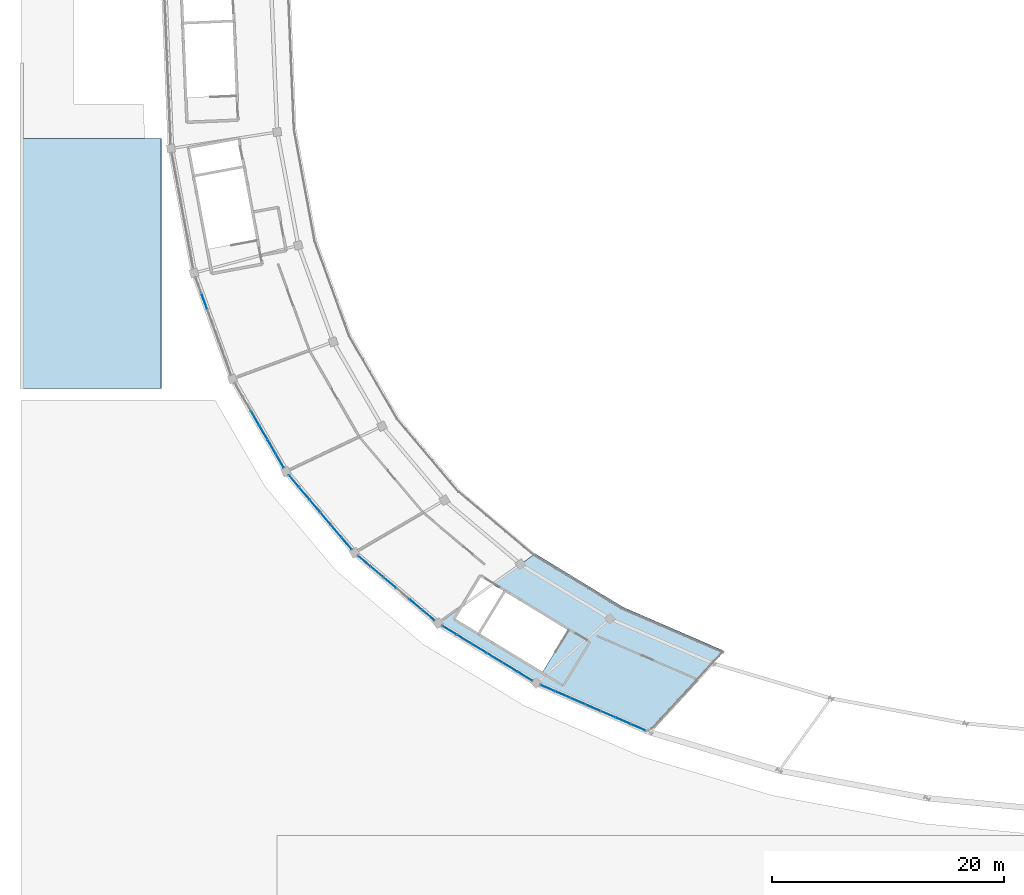
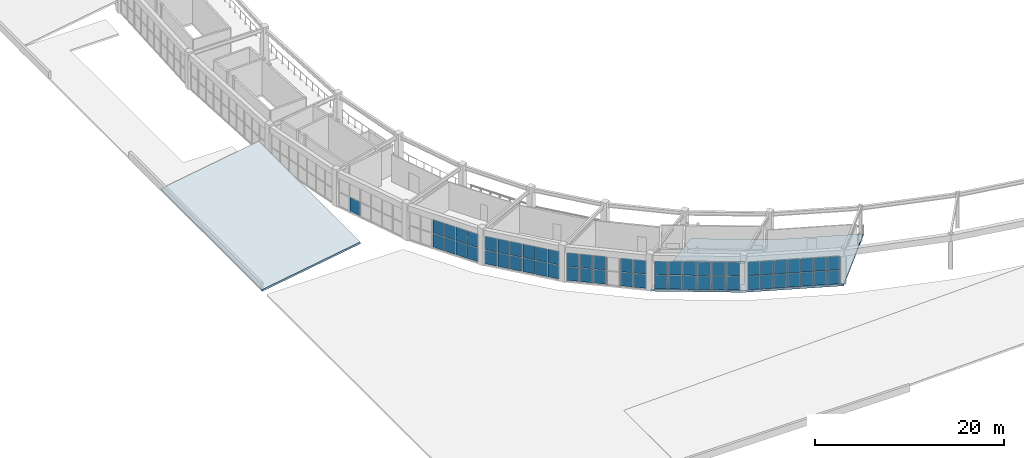
# One storey, part 28 of 45: 57 plates, 2 slabs, 7 elements without a shape of their own.
"""IFC4 building model written with IfcOpenShell, lengths in metres."""

import ifcopenshell
import ifcopenshell.guid

model = None  # the IFC model being written
_history = None  # IfcOwnerHistory: only IFC2X3 demands one
_inside = {}  # id of a spatial element -> (the spatial element, [elements in it])
_under = {}  # id of a project, library or spatial element -> (it, [spatial elements below it])
_declared = {}  # id of a project -> (the project, [libraries it declares])
_typed = {}  # id of a type object -> (the type object, [elements of that type])
_made_of = {}  # id of a material, layer set ... -> (it, [elements and type objects made of it])


def new_model(schema):
    """Start an empty IFC model of exactly this schema.

    Asked for "IFC4X3", IfcOpenShell would pick the latest addendum, in which some entities
    have other attributes; the version numbers below select the first issue.
    IFC2X3 requires an IfcOwnerHistory on every rooted entity: one is made here for all.
    """
    global model, _history
    if schema == "IFC4X3":
        model = ifcopenshell.file(schema_version=(4, 3, 0, 0))
    else:
        model = ifcopenshell.file(schema=schema)
    _inside.clear()
    _under.clear()
    _declared.clear()
    _typed.clear()
    _made_of.clear()
    _history = None
    if model.schema == "IFC2X3":
        org = make("IfcOrganization", Name="unknown")
        user = make(
            "IfcPersonAndOrganization",
            ThePerson=make("IfcPerson", FamilyName="unknown"),
            TheOrganization=org,
        )
        app = make(
            "IfcApplication",
            ApplicationDeveloper=org,
            Version="unknown",
            ApplicationFullName="unknown",
            ApplicationIdentifier="unknown",
        )
        _history = make(
            "IfcOwnerHistory",
            OwningUser=user,
            OwningApplication=app,
            ChangeAction="ADDED",
            CreationDate=0,
        )
    return model


def make(cls, **values):
    """One entity of the class cls with the attributes given. An attribute that is None is left unset."""
    return model.create_entity(
        cls, **{name: value for name, value in values.items() if value is not None}
    )


def rooted(cls, **values):
    """An entity with a GlobalId (a new one), such as an element, a storey or a relation."""
    return make(cls, GlobalId=ifcopenshell.guid.new(), OwnerHistory=_history, **values)


def si_unit(unit_type, name, prefix=None):
    """IfcSIUnit, for example si_unit("LENGTHUNIT", "METRE", prefix="MILLI")."""
    return make("IfcSIUnit", UnitType=unit_type, Prefix=prefix, Name=name)


def assignment(units):
    """IfcUnitAssignment: the units of a project."""
    return None if units is None else make("IfcUnitAssignment", Units=units)


def point(xyz):
    """IfcCartesianPoint."""
    return None if xyz is None else make("IfcCartesianPoint", Coordinates=xyz)


def direction(xyz):
    """IfcDirection."""
    return None if xyz is None else make("IfcDirection", DirectionRatios=xyz)


def frame(location, z_axis=None, x_axis=None):
    """IfcAxis2Placement3D, a coordinate frame: its origin and axes. An axis left out is left unset."""
    return make(
        "IfcAxis2Placement3D",
        Location=point(location),
        Axis=direction(z_axis),
        RefDirection=direction(x_axis),
    )


def frame_2d(location, x_axis=None):
    """IfcAxis2Placement2D, a coordinate frame in the plane: its origin and x axis."""
    return make(
        "IfcAxis2Placement2D", Location=point(location), RefDirection=direction(x_axis)
    )


def origin():
    """The frame at (0, 0, 0) with its axes left unset."""
    return frame((0.0, 0.0, 0.0))


def origin_2d():
    """The frame at (0, 0) in the plane with its x axis left unset."""
    return frame_2d((0.0, 0.0))


def place(relative_to, where):
    """IfcLocalPlacement: puts the frame where relative to a parent placement (None: the world)."""
    return make(
        "IfcLocalPlacement", PlacementRelTo=relative_to, RelativePlacement=where
    )


def context(
    kind, dimensions, precision=None, world=None, true_north=None, identifier=None
):
    """IfcGeometricRepresentationContext, for example the 3D "Model" context."""
    return make(
        "IfcGeometricRepresentationContext",
        ContextIdentifier=identifier,
        ContextType=kind,
        CoordinateSpaceDimension=dimensions,
        Precision=precision,
        WorldCoordinateSystem=world,
        TrueNorth=true_north,
    )


def subcontext(parent, identifier, kind, view, scale=None):
    """IfcGeometricRepresentationSubContext, for example "Body" below "Model"."""
    return make(
        "IfcGeometricRepresentationSubContext",
        ContextIdentifier=identifier,
        ContextType=kind,
        ParentContext=parent,
        TargetScale=scale,
        TargetView=view,
    )


def project(units=None, contexts=None):
    """IfcProject with its units and contexts."""
    return rooted(
        "IfcProject",
        Name="project",
        RepresentationContexts=contexts,
        UnitsInContext=assignment(units),
    )


def spatial(cls, under=None, at=None, **own):
    """A site, building, storey or space (cls), placed at a placement, below another one or the project."""
    s = rooted(cls, ObjectPlacement=at, **own)
    if under is not None:
        _under.setdefault(under.id(), (under, []))[1].append(s)
    return s


def polyline(points):
    """IfcPolyline through the points."""
    return make("IfcPolyline", Points=[point(p) for p in points])


def profile(cls, at=None, kind="AREA", **sizes):
    """A parametric profile (cls). Its sizes go by their IFC names, for example OverallWidth=200.0."""
    return make(cls, ProfileType=kind, Position=at, **sizes)


def rectangle(**sizes):
    """IfcRectangleProfileDef."""
    return profile("IfcRectangleProfileDef", **sizes)


def outline(outer, holes=None, kind="AREA"):
    """IfcArbitraryClosedProfileDef: a profile drawn as a closed curve; with holes, ...WithVoids."""
    if holes is None:
        return make("IfcArbitraryClosedProfileDef", ProfileType=kind, OuterCurve=outer)
    return make(
        "IfcArbitraryProfileDefWithVoids",
        ProfileType=kind,
        OuterCurve=outer,
        InnerCurves=holes,
    )


def extrude(swept, where, along, depth):
    """IfcExtrudedAreaSolid: the profile swept, set in the frame where, extruded along a direction by depth."""
    return make(
        "IfcExtrudedAreaSolid",
        SweptArea=swept,
        Position=where,
        ExtrudedDirection=direction(along),
        Depth=depth,
    )


def shape(context_of_items, identifier, shape_type, items):
    """IfcShapeRepresentation: the items that make up one representation, for example the "Body"."""
    return make(
        "IfcShapeRepresentation",
        ContextOfItems=context_of_items,
        RepresentationIdentifier=identifier,
        RepresentationType=shape_type,
        Items=items,
    )


def material(Name=None, Category=None):
    """IfcMaterial."""
    return make("IfcMaterial", Name=Name, Category=Category)


def layer(
    of_material, thickness, ventilated=None, Name=None, Category=None, Priority=None
):
    """IfcMaterialLayer: one layer of a wall or slab, of a material (None: an air gap)."""
    return make(
        "IfcMaterialLayer",
        Material=of_material,
        LayerThickness=thickness,
        IsVentilated=ventilated,
        Name=Name,
        Category=Category,
        Priority=Priority,
    )


def layer_set(layers, Name=None):
    """IfcMaterialLayerSet."""
    return make("IfcMaterialLayerSet", MaterialLayers=layers, LayerSetName=Name)


def made_of(thing, what):
    """Note that an element or type object is made of a material, layer set ...; save() writes the relation."""
    if what is not None:
        _made_of.setdefault(what.id(), (what, []))[1].append(thing)
    return thing


def type_object(cls, material=None, **own):
    """A type object (cls), such as IfcWallType, which elements share."""
    return made_of(rooted(cls, **own), material)


def element(
    cls,
    number,
    at=None,
    inside=None,
    cuts=None,
    type_object=None,
    material=None,
    context=None,
    identifier="Body",
    shape_type=None,
    held_by="IfcProductDefinitionShape",
    body=None,
    shapes=None,
    **own,
):
    """One element of the class cls, such as IfcWall. Its Tag is "e" and its number.

    at: its placement. inside: the storey or other place that contains it. cuts: it is an
    opening in that element (IfcRelVoidsElement). A single representation is given by context,
    identifier, shape_type and body (its items); several are given by shapes. held_by: the class
    of the entity that holds the representations. save() writes the other relations.
    """
    e = rooted(cls, Tag="e%d" % number, ObjectPlacement=at, **own)
    if body is not None:
        shapes = [shape(context, identifier, shape_type, body)]
    if shapes is not None:
        e.Representation = make(held_by, Representations=shapes)
    if inside is not None:
        _inside.setdefault(inside.id(), (inside, []))[1].append(e)
    if cuts is not None:
        rooted(
            "IfcRelVoidsElement", RelatingBuildingElement=cuts, RelatedOpeningElement=e
        )
    if type_object is not None:
        _typed.setdefault(type_object.id(), (type_object, []))[1].append(e)
    return made_of(e, material)


def aggregate(whole, parts):
    """IfcRelAggregates: a whole, such as a stair, and the parts it consists of."""
    return rooted("IfcRelAggregates", RelatingObject=whole, RelatedObjects=parts)


def save(model, path):
    """Write the relations noted so far, then the file.

    IfcRelAggregates (storeys below a building ...), IfcRelContainedInSpatialStructure (elements
    in a storey), IfcRelDefinesByType, IfcRelAssociatesMaterial and IfcRelDeclares: one each for
    every whole, place, type object, material and project.
    """
    for whole, parts in _under.values():
        aggregate(whole, parts)
    for where, things in _inside.values():
        rooted(
            "IfcRelContainedInSpatialStructure",
            RelatedElements=things,
            RelatingStructure=where,
        )
    for kind, things in _typed.values():
        rooted("IfcRelDefinesByType", RelatedObjects=things, RelatingType=kind)
    for what, things in _made_of.values():
        rooted("IfcRelAssociatesMaterial", RelatedObjects=things, RelatingMaterial=what)
    for by, libraries in _declared.values():
        rooted("IfcRelDeclares", RelatingContext=by, RelatedDefinitions=libraries)
    model.write(path)


model = new_model("IFC4")

# Units and contexts
model_context = context("Model", 3, precision=1e-05, world=origin(), true_north=direction((0.0, 1.0)))
body_context = subcontext(model_context, "Body", "Model", "MODEL_VIEW")
ifc_project = project(units=[si_unit("LENGTHUNIT", "METRE"), si_unit("AREAUNIT", "SQUARE_METRE"), si_unit("VOLUMEUNIT", "CUBIC_METRE"), si_unit("PLANEANGLEUNIT", "RADIAN"), si_unit("MASSUNIT", "GRAM", prefix="KILO")], contexts=[model_context])

# Site, building, storey
site_placement = place(None, origin())
site = spatial("IfcSite", under=ifc_project, at=site_placement, CompositionType="ELEMENT")
building_placement = place(site_placement, origin())
building = spatial("IfcBuilding", under=site, at=building_placement, Name="Mphavela Belvedere Stadium", CompositionType="ELEMENT")
storey_placement = place(building_placement, frame((0.0, 0.0, 24.0)))
storey = spatial("IfcBuildingStorey", under=building, at=storey_placement, Name="L05", CompositionType="ELEMENT", Elevation=24.0)

# Curtain wall, plate
ifc_material_1 = material(Name="Anodised bronze unitised curtain wall framing")
ifc_layer_1 = layer(ifc_material_1, 0.18994140625)
ifc_layer_set_1 = layer_set([ifc_layer_1], Name="Anodised bronze unitised curtain wall framing")
curtain_wall_type_1 = type_object("IfcCurtainWallType", Name="CW-UNIT-03", PredefinedType="USERDEFINED", material=ifc_layer_set_1)
curtain_wall_1_placement = place(storey_placement, origin())
curtain_wall_1 = element("IfcCurtainWall", 1, at=curtain_wall_1_placement, inside=storey, type_object=curtain_wall_type_1, Name="Belvedere colonnade curtain wall L05-27", ObjectType="UNITISED CURTAIN WALL", PredefinedType="USERDEFINED")
ifc_material_2 = material(Name="Solar-control double glazing", Category="glass")
ifc_layer_2 = layer(ifc_material_2, 0.031982421875)
ifc_layer_set_2 = layer_set([ifc_layer_2], Name="Solar-control double glazing")
plate_type = type_object("IfcPlateType", Name="CWP-SOLAR-GLASS", PredefinedType="CURTAIN_PANEL", material=ifc_layer_set_2)
plate_1_placement = place(storey_placement, frame((15.721923828125, 57.993896484375, 0.06005859375), z_axis=(0.0, 0.0, 1.0), x_axis=(0.341027014251, -0.940053496111, 0.0)))
plate_1 = element("IfcPlate", 2, at=plate_1_placement, type_object=plate_type, Name="CW-03 panel 2.1", PredefinedType="CURTAIN_PANEL", context=body_context, shape_type="SweptSolid", body=[
    extrude(rectangle(XDim=1.435791015625, YDim=0.031982421875, at=origin_2d()), origin(), (0.0, 0.0, 1.0), 1.77001953125),
])
aggregate(curtain_wall_1, [plate_1])

# Curtain wall, plates
ifc_material_3 = material(Name="Anodised bronze unitised curtain wall framing")
ifc_layer_3 = layer(ifc_material_3, 0.195068359375)
ifc_layer_set_3 = layer_set([ifc_layer_3], Name="Anodised bronze unitised curtain wall framing")
curtain_wall_type_2 = type_object("IfcCurtainWallType", Name="CW-UNIT-04", PredefinedType="USERDEFINED", material=ifc_layer_set_3)
curtain_wall_2_placement = place(storey_placement, origin())
curtain_wall_2 = element("IfcCurtainWall", 3, at=curtain_wall_2_placement, inside=storey, type_object=curtain_wall_type_2, Name="Belvedere colonnade curtain wall L05-28", ObjectType="UNITISED CURTAIN WALL", PredefinedType="USERDEFINED")
plate_2_placement = place(storey_placement, frame((20.09521484375, 47.94287109375, 0.06005859375), z_axis=(0.0, 0.0, 1.0), x_axis=(0.500555998906, -0.865704159606, 0.0)))
plate_2 = element("IfcPlate", 4, at=plate_2_placement, type_object=plate_type, Name="CW-04 panel 3.1", PredefinedType="CURTAIN_PANEL", context=body_context, shape_type="SweptSolid", body=[
    extrude(rectangle(XDim=1.355224609375, YDim=0.031982421875, at=origin_2d()), origin(), (0.0, 0.0, 1.0), 1.77001953125),
])
plate_3_placement = place(storey_placement, frame((20.09521484375, 47.94287109375, 1.889892578125), z_axis=(0.0, 0.0, 1.0), x_axis=(0.500555998906, -0.865704159606, 0.0)))
plate_3 = element("IfcPlate", 5, at=plate_3_placement, type_object=plate_type, Name="CW-04 panel 3.2", PredefinedType="CURTAIN_PANEL", context=body_context, shape_type="SweptSolid", body=[
    extrude(rectangle(XDim=1.355224609375, YDim=0.031982421875, at=origin_2d()), origin(), (0.0, 0.0, 1.0), 1.77001953125),
])
plate_4_placement = place(storey_placement, frame((20.80615234375, 46.71337890625, 0.06005859375), z_axis=(0.0, 0.0, 1.0), x_axis=(0.500555998906, -0.865704159606, 0.0)))
plate_4 = element("IfcPlate", 6, at=plate_4_placement, type_object=plate_type, Name="CW-04 panel 4.1", PredefinedType="CURTAIN_PANEL", context=body_context, shape_type="SweptSolid", body=[
    extrude(rectangle(XDim=1.355224609375, YDim=0.031982421875, at=origin_2d()), origin(), (0.0, 0.0, 1.0), 1.77001953125),
])
plate_5_placement = place(storey_placement, frame((20.80615234375, 46.71337890625, 1.889892578125), z_axis=(0.0, 0.0, 1.0), x_axis=(0.500555998906, -0.865704159606, 0.0)))
plate_5 = element("IfcPlate", 7, at=plate_5_placement, type_object=plate_type, Name="CW-04 panel 4.2", PredefinedType="CURTAIN_PANEL", context=body_context, shape_type="SweptSolid", body=[
    extrude(rectangle(XDim=1.355224609375, YDim=0.031982421875, at=origin_2d()), origin(), (0.0, 0.0, 1.0), 1.77001953125),
])
plate_6_placement = place(storey_placement, frame((21.51708984375, 45.48388671875, 0.06005859375), z_axis=(0.0, 0.0, 1.0), x_axis=(0.500555998906, -0.865704159606, 0.0)))
plate_6 = element("IfcPlate", 8, at=plate_6_placement, type_object=plate_type, Name="CW-04 panel 5.1", PredefinedType="CURTAIN_PANEL", context=body_context, shape_type="SweptSolid", body=[
    extrude(rectangle(XDim=1.355224609375, YDim=0.031982421875, at=origin_2d()), origin(), (0.0, 0.0, 1.0), 1.77001953125),
])
plate_7_placement = place(storey_placement, frame((21.51708984375, 45.48388671875, 1.889892578125), z_axis=(0.0, 0.0, 1.0), x_axis=(0.500555998906, -0.865704159606, 0.0)))
plate_7 = element("IfcPlate", 9, at=plate_7_placement, type_object=plate_type, Name="CW-04 panel 5.2", PredefinedType="CURTAIN_PANEL", context=body_context, shape_type="SweptSolid", body=[
    extrude(rectangle(XDim=1.355224609375, YDim=0.031982421875, at=origin_2d()), origin(), (0.0, 0.0, 1.0), 1.77001953125),
])
plate_8_placement = place(storey_placement, frame((22.2197265625, 44.2685546875, 0.06005859375), z_axis=(0.0, 0.0, 1.0), x_axis=(0.500555998906, -0.865704159606, 0.0)))
plate_8 = element("IfcPlate", 10, at=plate_8_placement, type_object=plate_type, Name="CW-04 panel 6.1", PredefinedType="CURTAIN_PANEL", context=body_context, shape_type="SweptSolid", body=[
    extrude(rectangle(XDim=1.32275390625, YDim=0.031982421875, at=origin_2d()), origin(), (0.0, 0.0, 1.0), 1.77001953125),
])
plate_9_placement = place(storey_placement, frame((22.2197265625, 44.2685546875, 1.889892578125), z_axis=(0.0, 0.0, 1.0), x_axis=(0.500555998906, -0.865704159606, 0.0)))
plate_9 = element("IfcPlate", 11, at=plate_9_placement, type_object=plate_type, Name="CW-04 panel 6.2", PredefinedType="CURTAIN_PANEL", context=body_context, shape_type="SweptSolid", body=[
    extrude(rectangle(XDim=1.32275390625, YDim=0.031982421875, at=origin_2d()), origin(), (0.0, 0.0, 1.0), 1.77001953125),
])
aggregate(curtain_wall_2, [plate_2, plate_3, plate_4, plate_5, plate_6, plate_7, plate_8, plate_9])

ifc_material_4 = material(Name="Anodised bronze unitised curtain wall framing")
ifc_layer_4 = layer(ifc_material_4, 0.199951171875)
ifc_layer_set_4 = layer_set([ifc_layer_4], Name="Anodised bronze unitised curtain wall framing")
curtain_wall_type_3 = type_object("IfcCurtainWallType", Name="CW-UNIT-05", PredefinedType="USERDEFINED", material=ifc_layer_set_4)
curtain_wall_3_placement = place(storey_placement, origin())
curtain_wall_3 = element("IfcCurtainWall", 12, at=curtain_wall_3_placement, inside=storey, type_object=curtain_wall_type_3, Name="Belvedere colonnade curtain wall L05-29", ObjectType="UNITISED CURTAIN WALL", PredefinedType="USERDEFINED")
plate_10_placement = place(storey_placement, frame((23.447021484375, 42.521728515625, 0.06005859375), z_axis=(0.0, 0.0, 1.0), x_axis=(0.645175294774, -0.764034579723, 0.0)))
plate_10 = element("IfcPlate", 13, at=plate_10_placement, type_object=plate_type, Name="CW-05 panel 1.1", PredefinedType="CURTAIN_PANEL", context=body_context, shape_type="SweptSolid", body=[
    extrude(rectangle(XDim=1.311767578125, YDim=0.031982421875, at=origin_2d()), origin(), (0.0, 0.0, 1.0), 1.77001953125),
])
plate_11_placement = place(storey_placement, frame((23.447021484375, 42.521728515625, 1.889892578125), z_axis=(0.0, 0.0, 1.0), x_axis=(0.645175294774, -0.764034579723, 0.0)))
plate_11 = element("IfcPlate", 14, at=plate_11_placement, type_object=plate_type, Name="CW-05 panel 1.2", PredefinedType="CURTAIN_PANEL", context=body_context, shape_type="SweptSolid", body=[
    extrude(rectangle(XDim=1.311767578125, YDim=0.031982421875, at=origin_2d()), origin(), (0.0, 0.0, 1.0), 1.77001953125),
])
plate_12_placement = place(storey_placement, frame((24.345703125, 41.45751953125, 0.06005859375), z_axis=(0.0, 0.0, 1.0), x_axis=(0.645175294774, -0.764034579723, 0.0)))
plate_12 = element("IfcPlate", 15, at=plate_12_placement, type_object=plate_type, Name="CW-05 panel 2.1", PredefinedType="CURTAIN_PANEL", context=body_context, shape_type="SweptSolid", body=[
    extrude(rectangle(XDim=1.34423828125, YDim=0.031982421875, at=origin_2d()), origin(), (0.0, 0.0, 1.0), 1.77001953125),
])
plate_13_placement = place(storey_placement, frame((24.345703125, 41.45751953125, 1.889892578125), z_axis=(0.0, 0.0, 1.0), x_axis=(0.645175294774, -0.764034579723, 0.0)))
plate_13 = element("IfcPlate", 16, at=plate_13_placement, type_object=plate_type, Name="CW-05 panel 2.2", PredefinedType="CURTAIN_PANEL", context=body_context, shape_type="SweptSolid", body=[
    extrude(rectangle(XDim=1.34423828125, YDim=0.031982421875, at=origin_2d()), origin(), (0.0, 0.0, 1.0), 1.77001953125),
])
plate_14_placement = place(storey_placement, frame((25.2548828125, 40.380859375, 0.06005859375), z_axis=(0.0, 0.0, 1.0), x_axis=(0.645175294774, -0.764034579723, 0.0)))
plate_14 = element("IfcPlate", 17, at=plate_14_placement, type_object=plate_type, Name="CW-05 panel 3.1", PredefinedType="CURTAIN_PANEL", context=body_context, shape_type="SweptSolid", body=[
    extrude(rectangle(XDim=1.34423828125, YDim=0.031982421875, at=origin_2d()), origin(), (0.0, 0.0, 1.0), 1.77001953125),
])
plate_15_placement = place(storey_placement, frame((25.2548828125, 40.380859375, 1.889892578125), z_axis=(0.0, 0.0, 1.0), x_axis=(0.645175294774, -0.764034579723, 0.0)))
plate_15 = element("IfcPlate", 18, at=plate_15_placement, type_object=plate_type, Name="CW-05 panel 3.2", PredefinedType="CURTAIN_PANEL", context=body_context, shape_type="SweptSolid", body=[
    extrude(rectangle(XDim=1.34423828125, YDim=0.031982421875, at=origin_2d()), origin(), (0.0, 0.0, 1.0), 1.77001953125),
])
plate_16_placement = place(storey_placement, frame((26.164306640625, 39.30419921875, 0.06005859375), z_axis=(0.0, 0.0, 1.0), x_axis=(0.645175294774, -0.764034579723, 0.0)))
plate_16 = element("IfcPlate", 19, at=plate_16_placement, type_object=plate_type, Name="CW-05 panel 4.1", PredefinedType="CURTAIN_PANEL", context=body_context, shape_type="SweptSolid", body=[
    extrude(rectangle(XDim=1.34423828125, YDim=0.031982421875, at=origin_2d()), origin(), (0.0, 0.0, 1.0), 1.77001953125),
])
plate_17_placement = place(storey_placement, frame((26.164306640625, 39.30419921875, 1.889892578125), z_axis=(0.0, 0.0, 1.0), x_axis=(0.645175294774, -0.764034579723, 0.0)))
plate_17 = element("IfcPlate", 20, at=plate_17_placement, type_object=plate_type, Name="CW-05 panel 4.2", PredefinedType="CURTAIN_PANEL", context=body_context, shape_type="SweptSolid", body=[
    extrude(rectangle(XDim=1.34423828125, YDim=0.031982421875, at=origin_2d()), origin(), (0.0, 0.0, 1.0), 1.77001953125),
])
plate_18_placement = place(storey_placement, frame((27.073486328125, 38.2275390625, 0.06005859375), z_axis=(0.0, 0.0, 1.0), x_axis=(0.645175294774, -0.764034579723, 0.0)))
plate_18 = element("IfcPlate", 21, at=plate_18_placement, type_object=plate_type, Name="CW-05 panel 5.1", PredefinedType="CURTAIN_PANEL", context=body_context, shape_type="SweptSolid", body=[
    extrude(rectangle(XDim=1.34423828125, YDim=0.031982421875, at=origin_2d()), origin(), (0.0, 0.0, 1.0), 1.77001953125),
])
plate_19_placement = place(storey_placement, frame((27.073486328125, 38.2275390625, 1.889892578125), z_axis=(0.0, 0.0, 1.0), x_axis=(0.645175294774, -0.764034579723, 0.0)))
plate_19 = element("IfcPlate", 22, at=plate_19_placement, type_object=plate_type, Name="CW-05 panel 5.2", PredefinedType="CURTAIN_PANEL", context=body_context, shape_type="SweptSolid", body=[
    extrude(rectangle(XDim=1.34423828125, YDim=0.031982421875, at=origin_2d()), origin(), (0.0, 0.0, 1.0), 1.77001953125),
])
plate_20_placement = place(storey_placement, frame((27.97216796875, 37.1630859375, 0.06005859375), z_axis=(0.0, 0.0, 1.0), x_axis=(0.645175294774, -0.764034579723, 0.0)))
plate_20 = element("IfcPlate", 23, at=plate_20_placement, type_object=plate_type, Name="CW-05 panel 6.1", PredefinedType="CURTAIN_PANEL", context=body_context, shape_type="SweptSolid", body=[
    extrude(rectangle(XDim=1.311767578125, YDim=0.031982421875, at=origin_2d()), origin(), (0.0, 0.0, 1.0), 1.77001953125),
])
plate_21_placement = place(storey_placement, frame((27.97216796875, 37.1630859375, 1.889892578125), z_axis=(0.0, 0.0, 1.0), x_axis=(0.645175294774, -0.764034579723, 0.0)))
plate_21 = element("IfcPlate", 24, at=plate_21_placement, type_object=plate_type, Name="CW-05 panel 6.2", PredefinedType="CURTAIN_PANEL", context=body_context, shape_type="SweptSolid", body=[
    extrude(rectangle(XDim=1.311767578125, YDim=0.031982421875, at=origin_2d()), origin(), (0.0, 0.0, 1.0), 1.77001953125),
])
aggregate(curtain_wall_3, [plate_10, plate_11, plate_12, plate_13, plate_14, plate_15, plate_16, plate_17, plate_18, plate_19, plate_20, plate_21])

ifc_material_5 = material(Name="Anodised bronze unitised curtain wall framing")
ifc_layer_5 = layer(ifc_material_5, 0.205078125)
ifc_layer_set_5 = layer_set([ifc_layer_5], Name="Anodised bronze unitised curtain wall framing")
curtain_wall_type_4 = type_object("IfcCurtainWallType", Name="CW-UNIT-06", PredefinedType="USERDEFINED", material=ifc_layer_set_5)
curtain_wall_4_placement = place(storey_placement, origin())
curtain_wall_4 = element("IfcCurtainWall", 25, at=curtain_wall_4_placement, inside=storey, type_object=curtain_wall_type_4, Name="Belvedere colonnade curtain wall L05-30", ObjectType="UNITISED CURTAIN WALL", PredefinedType="USERDEFINED")
plate_22_placement = place(storey_placement, frame((29.494384765625, 35.64404296875, 0.06005859375), z_axis=(0.0, 0.0, 1.0), x_axis=(0.764253429051, -0.644916038089, 0.0)))
plate_22 = element("IfcPlate", 26, at=plate_22_placement, type_object=plate_type, Name="CW-06 panel 1.1", PredefinedType="CURTAIN_PANEL", context=body_context, shape_type="SweptSolid", body=[
    extrude(rectangle(XDim=1.352783203125, YDim=0.031982421875, at=origin_2d()), origin(), (0.0, 0.0, 1.0), 1.77001953125),
])
plate_23_placement = place(storey_placement, frame((29.494384765625, 35.64404296875, 1.889892578125), z_axis=(0.0, 0.0, 1.0), x_axis=(0.764253429051, -0.644916038089, 0.0)))
plate_23 = element("IfcPlate", 27, at=plate_23_placement, type_object=plate_type, Name="CW-06 panel 1.2", PredefinedType="CURTAIN_PANEL", context=body_context, shape_type="SweptSolid", body=[
    extrude(rectangle(XDim=1.352783203125, YDim=0.031982421875, at=origin_2d()), origin(), (0.0, 0.0, 1.0), 1.77001953125),
])
plate_24_placement = place(storey_placement, frame((30.59033203125, 34.718994140625, 0.06005859375), z_axis=(0.0, 0.0, 1.0), x_axis=(0.764253429051, -0.644916038089, 0.0)))
plate_24 = element("IfcPlate", 28, at=plate_24_placement, type_object=plate_type, Name="CW-06 panel 2.1", PredefinedType="CURTAIN_PANEL", context=body_context, shape_type="SweptSolid", body=[
    extrude(rectangle(XDim=1.38525390625, YDim=0.031982421875, at=origin_2d()), origin(), (0.0, 0.0, 1.0), 1.77001953125),
])
plate_25_placement = place(storey_placement, frame((30.59033203125, 34.718994140625, 1.889892578125), z_axis=(0.0, 0.0, 1.0), x_axis=(0.764253429051, -0.644916038089, 0.0)))
plate_25 = element("IfcPlate", 29, at=plate_25_placement, type_object=plate_type, Name="CW-06 panel 2.2", PredefinedType="CURTAIN_PANEL", context=body_context, shape_type="SweptSolid", body=[
    extrude(rectangle(XDim=1.38525390625, YDim=0.031982421875, at=origin_2d()), origin(), (0.0, 0.0, 1.0), 1.77001953125),
])
plate_26_placement = place(storey_placement, frame((31.69873046875, 33.78369140625, 0.06005859375), z_axis=(0.0, 0.0, 1.0), x_axis=(0.764253429051, -0.644916038089, 0.0)))
plate_26 = element("IfcPlate", 30, at=plate_26_placement, type_object=plate_type, Name="CW-06 panel 3.1", PredefinedType="CURTAIN_PANEL", context=body_context, shape_type="SweptSolid", body=[
    extrude(rectangle(XDim=1.38525390625, YDim=0.031982421875, at=origin_2d()), origin(), (0.0, 0.0, 1.0), 1.77001953125),
])
plate_27_placement = place(storey_placement, frame((31.69873046875, 33.78369140625, 1.889892578125), z_axis=(0.0, 0.0, 1.0), x_axis=(0.764253429051, -0.644916038089, 0.0)))
plate_27 = element("IfcPlate", 31, at=plate_27_placement, type_object=plate_type, Name="CW-06 panel 3.2", PredefinedType="CURTAIN_PANEL", context=body_context, shape_type="SweptSolid", body=[
    extrude(rectangle(XDim=1.38525390625, YDim=0.031982421875, at=origin_2d()), origin(), (0.0, 0.0, 1.0), 1.77001953125),
])
plate_28_placement = place(storey_placement, frame((33.915771484375, 31.912841796875, 0.06005859375), z_axis=(0.0, 0.0, 1.0), x_axis=(0.764253429051, -0.644916038089, 0.0)))
plate_28 = element("IfcPlate", 32, at=plate_28_placement, type_object=plate_type, Name="CW-06 panel 5.1", PredefinedType="CURTAIN_PANEL", context=body_context, shape_type="SweptSolid", body=[
    extrude(rectangle(XDim=1.38525390625, YDim=0.031982421875, at=origin_2d()), origin(), (0.0, 0.0, 1.0), 1.77001953125),
])
plate_29_placement = place(storey_placement, frame((33.915771484375, 31.912841796875, 1.889892578125), z_axis=(0.0, 0.0, 1.0), x_axis=(0.764253429051, -0.644916038089, 0.0)))
plate_29 = element("IfcPlate", 33, at=plate_29_placement, type_object=plate_type, Name="CW-06 panel 5.2", PredefinedType="CURTAIN_PANEL", context=body_context, shape_type="SweptSolid", body=[
    extrude(rectangle(XDim=1.38525390625, YDim=0.031982421875, at=origin_2d()), origin(), (0.0, 0.0, 1.0), 1.77001953125),
])
plate_30_placement = place(storey_placement, frame((35.01171875, 30.988037109375, 0.06005859375), z_axis=(0.0, 0.0, 1.0), x_axis=(0.764253429051, -0.644916038089, 0.0)))
plate_30 = element("IfcPlate", 34, at=plate_30_placement, type_object=plate_type, Name="CW-06 panel 6.1", PredefinedType="CURTAIN_PANEL", context=body_context, shape_type="SweptSolid", body=[
    extrude(rectangle(XDim=1.352783203125, YDim=0.031982421875, at=origin_2d()), origin(), (0.0, 0.0, 1.0), 1.77001953125),
])
plate_31_placement = place(storey_placement, frame((35.01171875, 30.988037109375, 1.889892578125), z_axis=(0.0, 0.0, 1.0), x_axis=(0.764253429051, -0.644916038089, 0.0)))
plate_31 = element("IfcPlate", 35, at=plate_31_placement, type_object=plate_type, Name="CW-06 panel 6.2", PredefinedType="CURTAIN_PANEL", context=body_context, shape_type="SweptSolid", body=[
    extrude(rectangle(XDim=1.352783203125, YDim=0.031982421875, at=origin_2d()), origin(), (0.0, 0.0, 1.0), 1.77001953125),
])
aggregate(curtain_wall_4, [plate_22, plate_23, plate_24, plate_25, plate_26, plate_27, plate_28, plate_29, plate_30, plate_31])

ifc_material_6 = material(Name="Anodised bronze unitised curtain wall framing")
ifc_layer_6 = layer(ifc_material_6, 0.179931640625)
ifc_layer_set_6 = layer_set([ifc_layer_6], Name="Anodised bronze unitised curtain wall framing")
curtain_wall_type_5 = type_object("IfcCurtainWallType", Name="CW-UNIT-01", PredefinedType="USERDEFINED", material=ifc_layer_set_6)
curtain_wall_5_placement = place(storey_placement, origin())
curtain_wall_5 = element("IfcCurtainWall", 36, at=curtain_wall_5_placement, inside=storey, type_object=curtain_wall_type_5, Name="Belvedere colonnade curtain wall L05-31", ObjectType="UNITISED CURTAIN WALL", PredefinedType="USERDEFINED")
plate_32_placement = place(storey_placement, frame((36.81103515625, 29.697509765625, 0.06005859375), z_axis=(0.0, 0.0, 1.0), x_axis=(0.854327323226, -0.519735341101, 0.0)))
plate_32 = element("IfcPlate", 37, at=plate_32_placement, type_object=plate_type, Name="CW-01 panel 1.1", PredefinedType="CURTAIN_PANEL", context=body_context, shape_type="SweptSolid", body=[
    extrude(rectangle(XDim=1.436767578125, YDim=0.031982421875, at=origin_2d()), origin(), (0.0, 0.0, 1.0), 1.77001953125),
])
plate_33_placement = place(storey_placement, frame((36.81103515625, 29.697509765625, 1.889892578125), z_axis=(0.0, 0.0, 1.0), x_axis=(0.854327323226, -0.519735341101, 0.0)))
plate_33 = element("IfcPlate", 38, at=plate_33_placement, type_object=plate_type, Name="CW-01 panel 1.2", PredefinedType="CURTAIN_PANEL", context=body_context, shape_type="SweptSolid", body=[
    extrude(rectangle(XDim=1.436767578125, YDim=0.031982421875, at=origin_2d()), origin(), (0.0, 0.0, 1.0), 1.77001953125),
])
plate_34_placement = place(storey_placement, frame((38.10791015625, 28.908447265625, 0.06005859375), z_axis=(0.0, 0.0, 1.0), x_axis=(0.854327323226, -0.519735341101, 0.0)))
plate_34 = element("IfcPlate", 39, at=plate_34_placement, type_object=plate_type, Name="CW-01 panel 2.1", PredefinedType="CURTAIN_PANEL", context=body_context, shape_type="SweptSolid", body=[
    extrude(rectangle(XDim=1.46923828125, YDim=0.031982421875, at=origin_2d()), origin(), (0.0, 0.0, 1.0), 1.77001953125),
])
plate_35_placement = place(storey_placement, frame((38.10791015625, 28.908447265625, 1.889892578125), z_axis=(0.0, 0.0, 1.0), x_axis=(0.854327323226, -0.519735341101, 0.0)))
plate_35 = element("IfcPlate", 40, at=plate_35_placement, type_object=plate_type, Name="CW-01 panel 2.2", PredefinedType="CURTAIN_PANEL", context=body_context, shape_type="SweptSolid", body=[
    extrude(rectangle(XDim=1.46923828125, YDim=0.031982421875, at=origin_2d()), origin(), (0.0, 0.0, 1.0), 1.77001953125),
])
plate_36_placement = place(storey_placement, frame((39.418701171875, 28.111083984375, 0.06005859375), z_axis=(0.0, 0.0, 1.0), x_axis=(0.854327323226, -0.519735341101, 0.0)))
plate_36 = element("IfcPlate", 41, at=plate_36_placement, type_object=plate_type, Name="CW-01 panel 3.1", PredefinedType="CURTAIN_PANEL", context=body_context, shape_type="SweptSolid", body=[
    extrude(rectangle(XDim=1.46923828125, YDim=0.031982421875, at=origin_2d()), origin(), (0.0, 0.0, 1.0), 1.77001953125),
])
plate_37_placement = place(storey_placement, frame((39.418701171875, 28.111083984375, 1.889892578125), z_axis=(0.0, 0.0, 1.0), x_axis=(0.854327323226, -0.519735341101, 0.0)))
plate_37 = element("IfcPlate", 42, at=plate_37_placement, type_object=plate_type, Name="CW-01 panel 3.2", PredefinedType="CURTAIN_PANEL", context=body_context, shape_type="SweptSolid", body=[
    extrude(rectangle(XDim=1.46923828125, YDim=0.031982421875, at=origin_2d()), origin(), (0.0, 0.0, 1.0), 1.77001953125),
])
plate_38_placement = place(storey_placement, frame((40.7294921875, 27.3134765625, 0.06005859375), z_axis=(0.0, 0.0, 1.0), x_axis=(0.854327323226, -0.519735341101, 0.0)))
plate_38 = element("IfcPlate", 43, at=plate_38_placement, type_object=plate_type, Name="CW-01 panel 4.1", PredefinedType="CURTAIN_PANEL", context=body_context, shape_type="SweptSolid", body=[
    extrude(rectangle(XDim=1.46923828125, YDim=0.031982421875, at=origin_2d()), origin(), (0.0, 0.0, 1.0), 1.77001953125),
])
plate_39_placement = place(storey_placement, frame((40.7294921875, 27.3134765625, 1.889892578125), z_axis=(0.0, 0.0, 1.0), x_axis=(0.854327323226, -0.519735341101, 0.0)))
plate_39 = element("IfcPlate", 44, at=plate_39_placement, type_object=plate_type, Name="CW-01 panel 4.2", PredefinedType="CURTAIN_PANEL", context=body_context, shape_type="SweptSolid", body=[
    extrude(rectangle(XDim=1.46923828125, YDim=0.031982421875, at=origin_2d()), origin(), (0.0, 0.0, 1.0), 1.77001953125),
])
plate_40_placement = place(storey_placement, frame((42.040283203125, 26.51611328125, 0.06005859375), z_axis=(0.0, 0.0, 1.0), x_axis=(0.854327323226, -0.519735341101, 0.0)))
plate_40 = element("IfcPlate", 45, at=plate_40_placement, type_object=plate_type, Name="CW-01 panel 5.1", PredefinedType="CURTAIN_PANEL", context=body_context, shape_type="SweptSolid", body=[
    extrude(rectangle(XDim=1.46923828125, YDim=0.031982421875, at=origin_2d()), origin(), (0.0, 0.0, 1.0), 1.77001953125),
])
plate_41_placement = place(storey_placement, frame((42.040283203125, 26.51611328125, 1.889892578125), z_axis=(0.0, 0.0, 1.0), x_axis=(0.854327323226, -0.519735341101, 0.0)))
plate_41 = element("IfcPlate", 46, at=plate_41_placement, type_object=plate_type, Name="CW-01 panel 5.2", PredefinedType="CURTAIN_PANEL", context=body_context, shape_type="SweptSolid", body=[
    extrude(rectangle(XDim=1.46923828125, YDim=0.031982421875, at=origin_2d()), origin(), (0.0, 0.0, 1.0), 1.77001953125),
])
plate_42_placement = place(storey_placement, frame((43.337158203125, 25.72705078125, 0.06005859375), z_axis=(0.0, 0.0, 1.0), x_axis=(0.854327323226, -0.519735341101, 0.0)))
plate_42 = element("IfcPlate", 47, at=plate_42_placement, type_object=plate_type, Name="CW-01 panel 6.1", PredefinedType="CURTAIN_PANEL", context=body_context, shape_type="SweptSolid", body=[
    extrude(rectangle(XDim=1.436767578125, YDim=0.031982421875, at=origin_2d()), origin(), (0.0, 0.0, 1.0), 1.77001953125),
])
plate_43_placement = place(storey_placement, frame((43.337158203125, 25.72705078125, 1.889892578125), z_axis=(0.0, 0.0, 1.0), x_axis=(0.854327323226, -0.519735341101, 0.0)))
plate_43 = element("IfcPlate", 48, at=plate_43_placement, type_object=plate_type, Name="CW-01 panel 6.2", PredefinedType="CURTAIN_PANEL", context=body_context, shape_type="SweptSolid", body=[
    extrude(rectangle(XDim=1.436767578125, YDim=0.031982421875, at=origin_2d()), origin(), (0.0, 0.0, 1.0), 1.77001953125),
])
aggregate(curtain_wall_5, [plate_32, plate_33, plate_34, plate_35, plate_36, plate_37, plate_38, plate_39, plate_40, plate_41, plate_42, plate_43])

ifc_material_7 = material(Name="Anodised bronze unitised curtain wall framing")
ifc_layer_7 = layer(ifc_material_7, 0.18505859375)
ifc_layer_set_7 = layer_set([ifc_layer_7], Name="Anodised bronze unitised curtain wall framing")
curtain_wall_type_6 = type_object("IfcCurtainWallType", Name="CW-UNIT-02", PredefinedType="USERDEFINED", material=ifc_layer_set_7)
curtain_wall_6_placement = place(storey_placement, origin())
curtain_wall_6 = element("IfcCurtainWall", 49, at=curtain_wall_6_placement, inside=storey, type_object=curtain_wall_type_6, Name="Belvedere colonnade curtain wall L05-32", ObjectType="UNITISED CURTAIN WALL", PredefinedType="USERDEFINED")
plate_44_placement = place(storey_placement, frame((45.28955078125, 24.7119140625, 0.06005859375), z_axis=(0.0, 0.0, 1.0), x_axis=(0.917496891164, -0.39774295054, 0.0)))
plate_44 = element("IfcPlate", 50, at=plate_44_placement, type_object=plate_type, Name="CW-02 panel 1.1", PredefinedType="CURTAIN_PANEL", context=body_context, shape_type="SweptSolid", body=[
    extrude(rectangle(XDim=1.322509765625, YDim=0.031982421875, at=origin_2d()), origin(), (0.0, 0.0, 1.0), 1.77001953125),
])
plate_45_placement = place(storey_placement, frame((45.28955078125, 24.7119140625, 1.889892578125), z_axis=(0.0, 0.0, 1.0), x_axis=(0.917496891164, -0.39774295054, 0.0)))
plate_45 = element("IfcPlate", 51, at=plate_45_placement, type_object=plate_type, Name="CW-02 panel 1.2", PredefinedType="CURTAIN_PANEL", context=body_context, shape_type="SweptSolid", body=[
    extrude(rectangle(XDim=1.322509765625, YDim=0.031982421875, at=origin_2d()), origin(), (0.0, 0.0, 1.0), 1.77001953125),
])
plate_46_placement = place(storey_placement, frame((46.577392578125, 24.153564453125, 0.06005859375), z_axis=(0.0, 0.0, 1.0), x_axis=(0.917496891164, -0.39774295054, 0.0)))
plate_46 = element("IfcPlate", 52, at=plate_46_placement, type_object=plate_type, Name="CW-02 panel 2.1", PredefinedType="CURTAIN_PANEL", context=body_context, shape_type="SweptSolid", body=[
    extrude(rectangle(XDim=1.35498046875, YDim=0.031982421875, at=origin_2d()), origin(), (0.0, 0.0, 1.0), 1.77001953125),
])
plate_47_placement = place(storey_placement, frame((46.577392578125, 24.153564453125, 1.889892578125), z_axis=(0.0, 0.0, 1.0), x_axis=(0.917496891164, -0.39774295054, 0.0)))
plate_47 = element("IfcPlate", 53, at=plate_47_placement, type_object=plate_type, Name="CW-02 panel 2.2", PredefinedType="CURTAIN_PANEL", context=body_context, shape_type="SweptSolid", body=[
    extrude(rectangle(XDim=1.35498046875, YDim=0.031982421875, at=origin_2d()), origin(), (0.0, 0.0, 1.0), 1.77001953125),
])
plate_48_placement = place(storey_placement, frame((47.880126953125, 23.588623046875, 0.06005859375), z_axis=(0.0, 0.0, 1.0), x_axis=(0.917496891164, -0.39774295054, 0.0)))
plate_48 = element("IfcPlate", 54, at=plate_48_placement, type_object=plate_type, Name="CW-02 panel 3.1", PredefinedType="CURTAIN_PANEL", context=body_context, shape_type="SweptSolid", body=[
    extrude(rectangle(XDim=1.35498046875, YDim=0.031982421875, at=origin_2d()), origin(), (0.0, 0.0, 1.0), 1.77001953125),
])
plate_49_placement = place(storey_placement, frame((47.880126953125, 23.588623046875, 1.889892578125), z_axis=(0.0, 0.0, 1.0), x_axis=(0.917496891164, -0.39774295054, 0.0)))
plate_49 = element("IfcPlate", 55, at=plate_49_placement, type_object=plate_type, Name="CW-02 panel 3.2", PredefinedType="CURTAIN_PANEL", context=body_context, shape_type="SweptSolid", body=[
    extrude(rectangle(XDim=1.35498046875, YDim=0.031982421875, at=origin_2d()), origin(), (0.0, 0.0, 1.0), 1.77001953125),
])
plate_50_placement = place(storey_placement, frame((49.18310546875, 23.02392578125, 0.06005859375), z_axis=(0.0, 0.0, 1.0), x_axis=(0.917496891164, -0.39774295054, 0.0)))
plate_50 = element("IfcPlate", 56, at=plate_50_placement, type_object=plate_type, Name="CW-02 panel 4.1", PredefinedType="CURTAIN_PANEL", context=body_context, shape_type="SweptSolid", body=[
    extrude(rectangle(XDim=1.35498046875, YDim=0.031982421875, at=origin_2d()), origin(), (0.0, 0.0, 1.0), 1.77001953125),
])
plate_51_placement = place(storey_placement, frame((49.18310546875, 23.02392578125, 1.889892578125), z_axis=(0.0, 0.0, 1.0), x_axis=(0.917496891164, -0.39774295054, 0.0)))
plate_51 = element("IfcPlate", 57, at=plate_51_placement, type_object=plate_type, Name="CW-02 panel 4.2", PredefinedType="CURTAIN_PANEL", context=body_context, shape_type="SweptSolid", body=[
    extrude(rectangle(XDim=1.35498046875, YDim=0.031982421875, at=origin_2d()), origin(), (0.0, 0.0, 1.0), 1.77001953125),
])
plate_52_placement = place(storey_placement, frame((50.48583984375, 22.458984375, 0.06005859375), z_axis=(0.0, 0.0, 1.0), x_axis=(0.917496891164, -0.39774295054, 0.0)))
plate_52 = element("IfcPlate", 58, at=plate_52_placement, type_object=plate_type, Name="CW-02 panel 5.1", PredefinedType="CURTAIN_PANEL", context=body_context, shape_type="SweptSolid", body=[
    extrude(rectangle(XDim=1.35498046875, YDim=0.031982421875, at=origin_2d()), origin(), (0.0, 0.0, 1.0), 1.77001953125),
])
plate_53_placement = place(storey_placement, frame((50.48583984375, 22.458984375, 1.889892578125), z_axis=(0.0, 0.0, 1.0), x_axis=(0.917496891164, -0.39774295054, 0.0)))
plate_53 = element("IfcPlate", 59, at=plate_53_placement, type_object=plate_type, Name="CW-02 panel 5.2", PredefinedType="CURTAIN_PANEL", context=body_context, shape_type="SweptSolid", body=[
    extrude(rectangle(XDim=1.35498046875, YDim=0.031982421875, at=origin_2d()), origin(), (0.0, 0.0, 1.0), 1.77001953125),
])
plate_54_placement = place(storey_placement, frame((51.788818359375, 21.894287109375, 0.06005859375), z_axis=(0.0, 0.0, 1.0), x_axis=(0.917496891164, -0.39774295054, 0.0)))
plate_54 = element("IfcPlate", 60, at=plate_54_placement, type_object=plate_type, Name="CW-02 panel 6.1", PredefinedType="CURTAIN_PANEL", context=body_context, shape_type="SweptSolid", body=[
    extrude(rectangle(XDim=1.35498046875, YDim=0.031982421875, at=origin_2d()), origin(), (0.0, 0.0, 1.0), 1.77001953125),
])
plate_55_placement = place(storey_placement, frame((51.788818359375, 21.894287109375, 1.889892578125), z_axis=(0.0, 0.0, 1.0), x_axis=(0.917496891164, -0.39774295054, 0.0)))
plate_55 = element("IfcPlate", 61, at=plate_55_placement, type_object=plate_type, Name="CW-02 panel 6.2", PredefinedType="CURTAIN_PANEL", context=body_context, shape_type="SweptSolid", body=[
    extrude(rectangle(XDim=1.35498046875, YDim=0.031982421875, at=origin_2d()), origin(), (0.0, 0.0, 1.0), 1.77001953125),
])
plate_56_placement = place(storey_placement, frame((53.07666015625, 21.3359375, 0.06005859375), z_axis=(0.0, 0.0, 1.0), x_axis=(0.917496891164, -0.39774295054, 0.0)))
plate_56 = element("IfcPlate", 62, at=plate_56_placement, type_object=plate_type, Name="CW-02 panel 7.1", PredefinedType="CURTAIN_PANEL", context=body_context, shape_type="SweptSolid", body=[
    extrude(rectangle(XDim=1.322509765625, YDim=0.031982421875, at=origin_2d()), origin(), (0.0, 0.0, 1.0), 1.77001953125),
])
plate_57_placement = place(storey_placement, frame((53.07666015625, 21.3359375, 1.889892578125), z_axis=(0.0, 0.0, 1.0), x_axis=(0.917496891164, -0.39774295054, 0.0)))
plate_57 = element("IfcPlate", 63, at=plate_57_placement, type_object=plate_type, Name="CW-02 panel 7.2", PredefinedType="CURTAIN_PANEL", context=body_context, shape_type="SweptSolid", body=[
    extrude(rectangle(XDim=1.322509765625, YDim=0.031982421875, at=origin_2d()), origin(), (0.0, 0.0, 1.0), 1.77001953125),
])
aggregate(curtain_wall_6, [plate_44, plate_45, plate_46, plate_47, plate_48, plate_49, plate_50, plate_51, plate_52, plate_53, plate_54, plate_55, plate_56, plate_57])

# Slab
ifc_material_8 = material(Name="Concrete C40/50", Category="concrete")
ifc_layer_8 = layer(ifc_material_8, 0.25)
ifc_layer_set_8 = layer_set([ifc_layer_8], Name="Concrete C40/50")
slab_type_1 = type_object("IfcSlabType", Name="SLB-CONCOURSE-250", PredefinedType="FLOOR", material=ifc_layer_set_8)
slab_1_placement = place(storey_placement, frame((0.0, 0.0, -0.25)))
element("IfcSlab", 64, at=slab_1_placement, inside=storey, type_object=slab_type_1, Name="Concourse sector slab L05-S6", PredefinedType="FLOOR", context=body_context, shape_type="SweptSolid", body=[
    extrude(outline(polyline([(54.0625, 20.90869140625), (44.3037109375, 25.13916015625), (35.844482421875, 30.285400390625), (38.107666015625, 31.906982421875), (37.356689453125, 30.67236328125), (39.28759765625, 29.498046875), (41.465087890625, 33.077880859375), (40.532958984375, 33.644775390625), (44.2080078125, 36.27783203125), (51.773681640625, 31.67529296875), (60.501220703125, 27.89208984375), (54.0625, 20.90869140625)]), holes=[polyline([(39.4755859375, 29.383544921875), (44.8544921875, 26.11181640625), (47.031982421875, 29.691650390625), (41.653076171875, 32.96337890625), (39.4755859375, 29.383544921875)])]), origin(), (0.0, 0.0, 1.0), 0.25),
])

# Roof, slab
ifc_material_9 = material(Name="Standing-seam zinc roofing membrane")
roof_type = type_object("IfcRoofType", Name="ROOF-PEDIMENT-ASSY", PredefinedType="GABLE_ROOF", material=ifc_material_9)
roof_placement = place(storey_placement, origin())
roof = element("IfcRoof", 65, at=roof_placement, inside=storey, type_object=roof_type, Name="West Planted Eaves Peristyle Colonnade classical pediment roof", PredefinedType="GABLE_ROOF")
ifc_material_10 = material(Name="Standing-seam zinc insulated roof over Concrete C40/50", Category="concrete")
ifc_layer_9 = layer(ifc_material_10, 0.239990234375)
ifc_layer_set_9 = layer_set([ifc_layer_9], Name="Standing-seam zinc insulated roof over Concrete C40/50")
slab_type_2 = type_object("IfcSlabType", Name="SLB-ROOF-ZINC-240", PredefinedType="ROOF", material=ifc_layer_set_9)
slab_2_placement = place(storey_placement, frame((0.0, 50.5, 0.239990234375), z_axis=(-0.161194163827, 0.0, 0.986922713057), x_axis=(0.986922713057, 0.0, 0.161194163827)))
slab_2 = element("IfcSlab", 66, at=slab_2_placement, type_object=slab_type_2, Name="West Planted Eaves Peristyle Colonnade classical pediment slope S", PredefinedType="ROOF", context=body_context, shape_type="SweptSolid", body=[
    extrude(outline(polyline([(0.0, 0.0), (12.15900682113987, 0.0), (12.15900682113987, 21.5), (0.0, 21.5), (0.0, 0.0)])), origin(), (0.0, 0.0, -1.0), 0.239990234375),
])
aggregate(roof, [slab_2])

save(model, "model.ifc")
